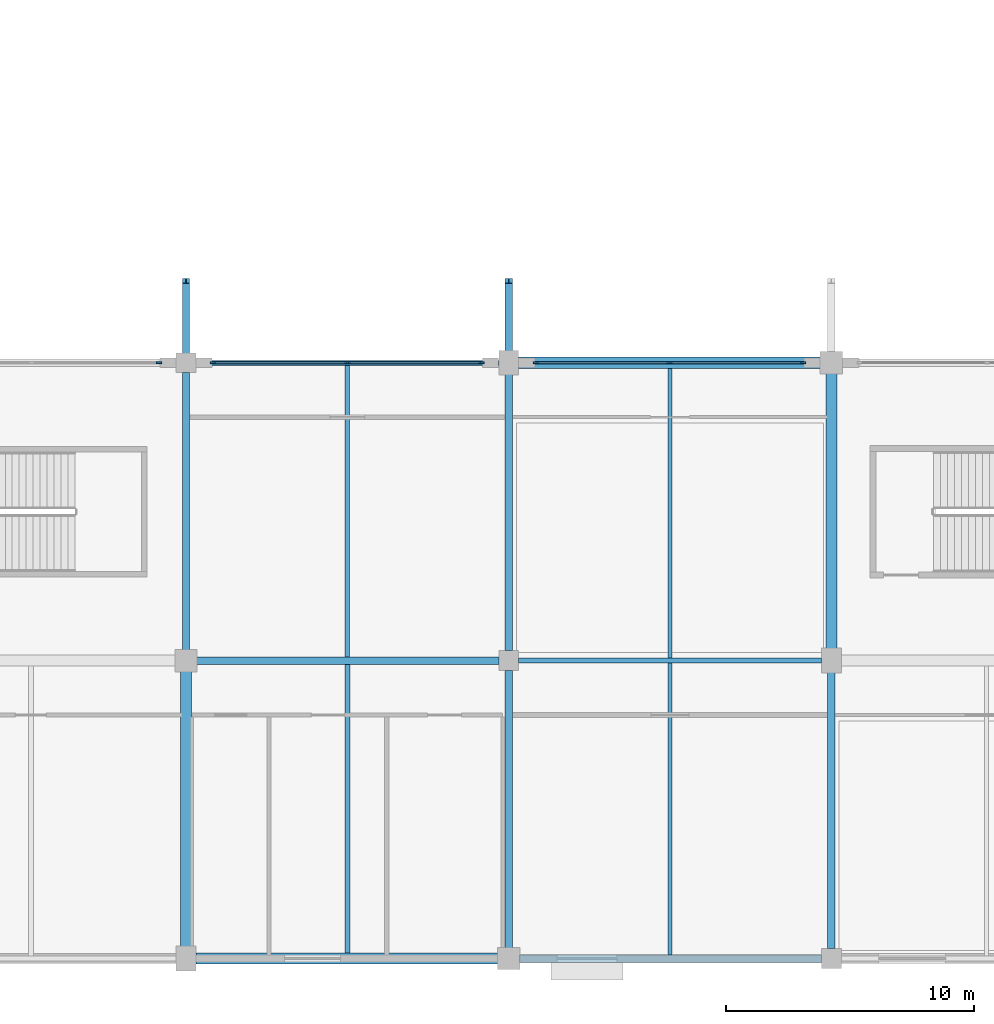
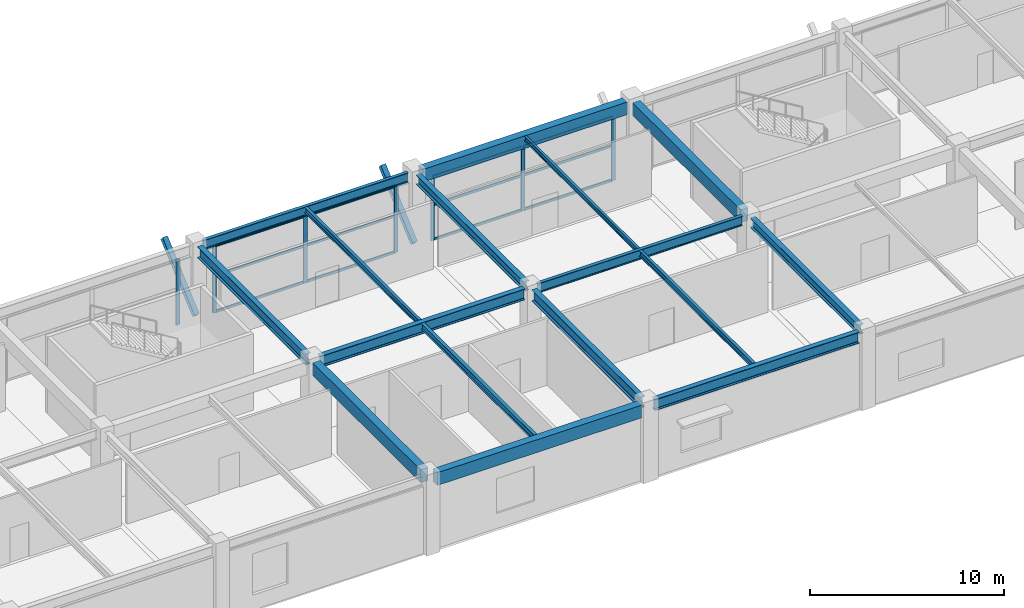
# One storey, part 20 of 116: 21 members, 16 beams, 3 elements without a shape of their own.
"""IFC4 building model written with IfcOpenShell, lengths in metres."""

from ifc_helpers import new_model, si_unit, direction, frame, origin, origin_2d, place, context, subcontext, project, spatial, rectangle, i_section, extrude, material, layer, layer_set, material_profile, profile_set, type_object, element, aggregate, save


model = new_model("IFC4")

# Units and contexts
model_context = context("Model", 3, precision=1e-05, world=origin(), true_north=direction((0.0, 1.0)))
body_context = subcontext(model_context, "Body", "Model", "MODEL_VIEW")
ifc_project = project(units=[si_unit("LENGTHUNIT", "METRE"), si_unit("AREAUNIT", "SQUARE_METRE"), si_unit("VOLUMEUNIT", "CUBIC_METRE"), si_unit("PLANEANGLEUNIT", "RADIAN"), si_unit("MASSUNIT", "GRAM", prefix="KILO")], contexts=[model_context])

# Site, building, storey
site_placement = place(None, origin())
site = spatial("IfcSite", under=ifc_project, at=site_placement, CompositionType="ELEMENT")
building_placement = place(site_placement, origin())
building = spatial("IfcBuilding", under=site, at=building_placement, Name="Kazenohara Klinker Stadium", CompositionType="ELEMENT")
storey_placement = place(building_placement, frame((0.0, 0.0, 10.199951171875)))
storey = spatial("IfcBuildingStorey", under=building, at=storey_placement, Name="L02", CompositionType="ELEMENT", Elevation=10.199951171875)

# Beams
ifc_material_1 = material(Name="Steel S355", Category="steel")
ifc_material_profile_1 = material_profile(ifc_material_1, i_section(OverallWidth=0.199951171875, OverallDepth=0.39990234375, WebThickness=0.008056640625, FlangeThickness=0.012939453125, FilletRadius=0.012939453125, at=origin_2d()), Name="H-400x200x8x13")
ifc_profile_set_1 = profile_set([ifc_material_profile_1], Name="Steel S355")
beam_type_1 = type_object("IfcBeamType", Name="BM-JST03", PredefinedType="JOIST", material=ifc_profile_set_1)
beam_1_placement = place(storey_placement, frame((105.5, 12.22509765625, 4.6201171875), z_axis=(0.0, 1.0, 0.0), x_axis=(-1.0, 0.0, 0.0)))
element("IfcBeam", 1, at=beam_1_placement, inside=storey, type_object=beam_type_1, Name="Secondary floor joist SJ03 L02 9/B", PredefinedType="JOIST", context=body_context, shape_type="SweptSolid", body=[
    extrude(i_section(OverallWidth=0.199951171875, OverallDepth=0.39990234375, WebThickness=0.008056640625, FlangeThickness=0.012939453125, FilletRadius=0.012939453125, at=origin_2d()), origin(), (0.0, 0.0, 1.0), 11.625),
])
ifc_material_profile_2 = material_profile(ifc_material_1, i_section(OverallWidth=0.175048828125, OverallDepth=0.35009765625, WebThickness=0.007080078125, FlangeThickness=0.010986328125, FilletRadius=0.012939453125, at=origin_2d()), Name="H-350x175x7x11")
ifc_profile_set_2 = profile_set([ifc_material_profile_2], Name="Steel S355")
beam_type_2 = type_object("IfcBeamType", Name="BM-JST04", PredefinedType="JOIST", material=ifc_profile_set_2)
for number, where, z_axis, x_axis, name in (
    (2, (105.5, 24.14990234375, 4.64501953125), (0.0, 1.0, 0.0), (-1.0, 0.0, 0.0), "Secondary floor joist SJ04 L02 9/C"),
    (3, (118.5, 12.14990234375, 4.64501953125), (0.0, 1.0, 0.0), (-1.0, 0.0, 0.0), "Secondary floor joist SJ04 L02 10/B"),
):
    element("IfcBeam", number, at=place(storey_placement, frame(where, z_axis=z_axis, x_axis=x_axis)), inside=storey, type_object=beam_type_2, Name=name, PredefinedType="JOIST", context=body_context, shape_type="SweptSolid", body=[
        extrude(i_section(OverallWidth=0.175048828125, OverallDepth=0.35009765625, WebThickness=0.007080078125, FlangeThickness=0.010986328125, FilletRadius=0.012939453125, at=origin_2d()), origin(), (0.0, 0.0, 1.0), 11.75),
    ])
ifc_material_profile_3 = material_profile(ifc_material_1, i_section(OverallWidth=0.14990234375, OverallDepth=0.300048828125, WebThickness=0.006591796875, FlangeThickness=0.009033203125, FilletRadius=0.012939453125, at=origin_2d()), Name="H-300x150x6.5x9")
ifc_profile_set_3 = profile_set([ifc_material_profile_3], Name="Steel S355")
beam_type_3 = type_object("IfcBeamType", Name="BM-JST05", PredefinedType="JOIST", material=ifc_profile_set_3)
beam_2_placement = place(storey_placement, frame((118.5, 24.10009765625, 4.670166015625), z_axis=(0.0, 1.0, 0.0), x_axis=(-1.0, 0.0, 0.0)))
element("IfcBeam", 4, at=beam_2_placement, inside=storey, type_object=beam_type_3, Name="Secondary floor joist SJ05 L02 10/C", PredefinedType="JOIST", context=body_context, shape_type="SweptSolid", body=[
    extrude(i_section(OverallWidth=0.14990234375, OverallDepth=0.300048828125, WebThickness=0.006591796875, FlangeThickness=0.009033203125, FilletRadius=0.012939453125, at=origin_2d()), origin(), (0.0, 0.0, 1.0), 11.6748046875),
])
ifc_material_2 = material(Name="Concrete C40/50", Category="concrete")
ifc_material_profile_4 = material_profile(ifc_material_2, rectangle(XDim=0.449951171875, YDim=0.800048828125, at=origin_2d()), Name="RC-BM-450x800")
ifc_profile_set_4 = profile_set([ifc_material_profile_4], Name="Concrete C40/50")
beam_type_4 = type_object("IfcBeamType", Name="BM-RC03", PredefinedType="BEAM", material=ifc_profile_set_4)
for number, where, z_axis, x_axis, name in (
    (5, (99.39990234375, 12.0, 4.420166015625), (1.0, 0.0, 0.0), (0.0, 1.0, 0.0), "Primary girder BG03 L02 9-10/B"),
    (6, (112.39990234375, 36.0, 4.420166015625), (1.0, 0.0, 0.0), (0.0, 1.0, 0.0), "Primary girder BG03 L02 10-11/D"),
):
    element("IfcBeam", number, at=place(storey_placement, frame(where, z_axis=z_axis, x_axis=x_axis)), inside=storey, type_object=beam_type_4, Name=name, PredefinedType="BEAM", context=body_context, shape_type="SweptSolid", body=[
        extrude(rectangle(XDim=0.449951171875, YDim=0.800048828125, at=origin_2d()), origin(), (0.0, 0.0, 1.0), 12.18017578125),
    ])
for number, where, z_axis, x_axis, name in (
    (7, (99.0, 12.419921875, 4.420166015625), (0.0, 1.0, 0.0), (-1.0, 0.0, 0.0), "Primary girder BG03 L02 9/B-C"),
    (8, (125.0, 24.419921875, 4.420166015625), (0.0, 1.0, 0.0), (-1.0, 0.0, 0.0), "Primary girder BG03 L02 11/C-D"),
):
    element("IfcBeam", number, at=place(storey_placement, frame(where, z_axis=z_axis, x_axis=x_axis)), inside=storey, type_object=beam_type_4, Name=name, PredefinedType="BEAM", context=body_context, shape_type="SweptSolid", body=[
        extrude(rectangle(XDim=0.449951171875, YDim=0.800048828125, at=origin_2d()), origin(), (0.0, 0.0, 1.0), 11.16015625),
    ])
ifc_material_profile_5 = material_profile(ifc_material_1, i_section(OverallWidth=0.300048828125, OverallDepth=0.699951171875, WebThickness=0.012939453125, FlangeThickness=0.02392578125, FilletRadius=0.02197265625, at=origin_2d()), Name="H-700x300x13x24")
ifc_profile_set_5 = profile_set([ifc_material_profile_5], Name="Steel S355")
beam_type_5 = type_object("IfcBeamType", Name="BM-ST03", PredefinedType="BEAM", material=ifc_profile_set_5)
for number, where, z_axis, x_axis, name in (
    (9, (99.419921875, 24.0, 4.469970703125), (1.0, 0.0, 0.0), (0.0, 1.0, 0.0), "Primary girder SB03 L02 9-10/C"),
    (10, (112.419921875, 12.0, 4.469970703125), (1.0, 0.0, 0.0), (0.0, 1.0, 0.0), "Primary girder SB03 L02 10-11/B"),
):
    element("IfcBeam", number, at=place(storey_placement, frame(where, z_axis=z_axis, x_axis=x_axis)), inside=storey, type_object=beam_type_5, Name=name, PredefinedType="BEAM", context=body_context, shape_type="SweptSolid", body=[
        extrude(i_section(OverallWidth=0.300048828125, OverallDepth=0.699951171875, WebThickness=0.012939453125, FlangeThickness=0.02392578125, FilletRadius=0.02197265625, at=origin_2d()), origin(), (0.0, 0.0, 1.0), 12.18017578125),
    ])
for number, where, z_axis, x_axis, name in (
    (11, (99.0, 24.419921875, 4.469970703125), (0.0, 1.0, 0.0), (-1.0, 0.0, 0.0), "Primary girder SB03 L02 9/C-D"),
    (12, (112.0, 12.419921875, 4.469970703125), (0.0, 1.0, 0.0), (-1.0, 0.0, 0.0), "Primary girder SB03 L02 10/B-C"),
):
    element("IfcBeam", number, at=place(storey_placement, frame(where, z_axis=z_axis, x_axis=x_axis)), inside=storey, type_object=beam_type_5, Name=name, PredefinedType="BEAM", context=body_context, shape_type="SweptSolid", body=[
        extrude(i_section(OverallWidth=0.300048828125, OverallDepth=0.699951171875, WebThickness=0.012939453125, FlangeThickness=0.02392578125, FilletRadius=0.02197265625, at=origin_2d()), origin(), (0.0, 0.0, 1.0), 11.18017578125),
    ])
ifc_material_profile_6 = material_profile(ifc_material_1, i_section(OverallWidth=0.199951171875, OverallDepth=0.60009765625, WebThickness=0.010986328125, FlangeThickness=0.01708984375, FilletRadius=0.012939453125, at=origin_2d()), Name="H-600x200x11x17")
ifc_profile_set_6 = profile_set([ifc_material_profile_6], Name="Steel S355")
beam_type_6 = type_object("IfcBeamType", Name="BM-ST04", PredefinedType="BEAM", material=ifc_profile_set_6)
for number, where, z_axis, x_axis, name in (
    (13, (99.39990234375, 36.0, 4.52001953125), (1.0, 0.0, 0.0), (0.0, 1.0, 0.0), "Primary girder SB04 L02 9-10/D"),
    (14, (112.39990234375, 24.0, 4.52001953125), (1.0, 0.0, 0.0), (0.0, 1.0, 0.0), "Primary girder SB04 L02 10-11/C"),
):
    element("IfcBeam", number, at=place(storey_placement, frame(where, z_axis=z_axis, x_axis=x_axis)), inside=storey, type_object=beam_type_6, Name=name, PredefinedType="BEAM", context=body_context, shape_type="SweptSolid", body=[
        extrude(i_section(OverallWidth=0.199951171875, OverallDepth=0.60009765625, WebThickness=0.010986328125, FlangeThickness=0.01708984375, FilletRadius=0.012939453125, at=origin_2d()), origin(), (0.0, 0.0, 1.0), 12.2001953125),
    ])
ifc_material_profile_7 = material_profile(ifc_material_1, i_section(OverallWidth=0.300048828125, OverallDepth=0.587890625, WebThickness=0.011962890625, FlangeThickness=0.02001953125, FilletRadius=0.02197265625, at=origin_2d()), Name="H-588x300x12x20")
ifc_profile_set_7 = profile_set([ifc_material_profile_7], Name="Steel S355")
beam_type_7 = type_object("IfcBeamType", Name="BM-ST05", PredefinedType="BEAM", material=ifc_profile_set_7)
for number, where, z_axis, x_axis, name in (
    (15, (112.0, 24.39990234375, 4.526123046875), (0.0, 1.0, 0.0), (-1.0, 0.0, 0.0), "Primary girder SB05 L02 10/C-D"),
    (16, (125.0, 12.39990234375, 4.526123046875), (0.0, 1.0, 0.0), (-1.0, 0.0, 0.0), "Primary girder SB05 L02 11/B-C"),
):
    element("IfcBeam", number, at=place(storey_placement, frame(where, z_axis=z_axis, x_axis=x_axis)), inside=storey, type_object=beam_type_7, Name=name, PredefinedType="BEAM", context=body_context, shape_type="SweptSolid", body=[
        extrude(i_section(OverallWidth=0.300048828125, OverallDepth=0.587890625, WebThickness=0.011962890625, FlangeThickness=0.02001953125, FilletRadius=0.02197265625, at=origin_2d()), origin(), (0.0, 0.0, 1.0), 11.18017578125),
    ])

# Curtain wall, member
ifc_material_3 = material(Name="Anodised aluminium and triple glazing", Category="aluminium")
ifc_layer_1 = layer(ifc_material_3, 0.18994140625)
ifc_layer_set_1 = layer_set([ifc_layer_1], Name="Anodised aluminium and triple glazing")
curtain_wall_type_1 = type_object("IfcCurtainWallType", Name="CW-SYS-05", PredefinedType="USERDEFINED", material=ifc_layer_set_1)
curtain_wall_1_placement = place(storey_placement, origin())
curtain_wall_1 = element("IfcCurtainWall", 17, at=curtain_wall_1_placement, inside=storey, type_object=curtain_wall_type_1, Name="Unitised facade curtain wall CW05 L02 X7-3", ObjectType="UNITISED CURTAIN WALL", PredefinedType="USERDEFINED")
ifc_material_4 = material(Name="Anodised aluminium 6063-T6", Category="aluminium")
ifc_material_profile_8 = material_profile(ifc_material_4, rectangle(XDim=0.074951171875, YDim=0.219970703125, at=origin_2d()), Name="ALU-MUL-75x220")
ifc_profile_set_8 = profile_set([ifc_material_profile_8], Name="Anodised aluminium 6063-T6")
member_type_1 = type_object("IfcMemberType", Name="CW-MUL-220", PredefinedType="MULLION", material=ifc_profile_set_8)
member_1_placement = place(storey_placement, frame((97.908447265625, 36.0, 0.0), z_axis=(0.0, 0.0, 1.0), x_axis=(0.0, 1.0, 0.0)))
member_1 = element("IfcMember", 18, at=member_1_placement, type_object=member_type_1, Name="CW05 mullion 3", PredefinedType="MULLION", context=body_context, shape_type="SweptSolid", body=[
    extrude(rectangle(XDim=0.074951171875, YDim=0.219970703125, at=origin_2d()), origin(), (0.0, 0.0, 1.0), 4.1201171875),
])
aggregate(curtain_wall_1, [member_1])

# Curtain wall, members
ifc_layer_2 = layer(ifc_material_3, 0.179931640625)
ifc_layer_set_2 = layer_set([ifc_layer_2], Name="Anodised aluminium and triple glazing")
curtain_wall_type_2 = type_object("IfcCurtainWallType", Name="CW-SYS-02", PredefinedType="USERDEFINED", material=ifc_layer_set_2)
curtain_wall_2_placement = place(storey_placement, origin())
curtain_wall_2 = element("IfcCurtainWall", 19, at=curtain_wall_2_placement, inside=storey, type_object=curtain_wall_type_2, Name="Unitised facade curtain wall CW02 L02 X8-3", ObjectType="UNITISED CURTAIN WALL", PredefinedType="USERDEFINED")
member_2_placement = place(storey_placement, frame((100.091552734375, 36.0, 0.0), z_axis=(0.0, 0.0, 1.0), x_axis=(0.0, 1.0, 0.0)))
member_2 = element("IfcMember", 20, at=member_2_placement, type_object=member_type_1, Name="CW02 mullion 1", PredefinedType="MULLION", context=body_context, shape_type="SweptSolid", body=[
    extrude(rectangle(XDim=0.074951171875, YDim=0.219970703125, at=origin_2d()), origin(), (0.0, 0.0, 1.0), 4.219970703125),
])
member_3_placement = place(storey_placement, frame((105.5, 36.0, 0.0), z_axis=(0.0, 0.0, 1.0), x_axis=(0.0, 1.0, 0.0)))
member_3 = element("IfcMember", 21, at=member_3_placement, type_object=member_type_1, Name="CW02 mullion 2", PredefinedType="MULLION", context=body_context, shape_type="SweptSolid", body=[
    extrude(rectangle(XDim=0.074951171875, YDim=0.219970703125, at=origin_2d()), origin(), (0.0, 0.0, 1.0), 4.219970703125),
])
member_4_placement = place(storey_placement, frame((110.908447265625, 36.0, 0.0), z_axis=(0.0, 0.0, 1.0), x_axis=(0.0, 1.0, 0.0)))
member_4 = element("IfcMember", 22, at=member_4_placement, type_object=member_type_1, Name="CW02 mullion 3", PredefinedType="MULLION", context=body_context, shape_type="SweptSolid", body=[
    extrude(rectangle(XDim=0.074951171875, YDim=0.219970703125, at=origin_2d()), origin(), (0.0, 0.0, 1.0), 4.219970703125),
])

ifc_layer_3 = layer(ifc_material_3, 0.169921875)
ifc_layer_set_3 = layer_set([ifc_layer_3], Name="Anodised aluminium and triple glazing")
curtain_wall_type_3 = type_object("IfcCurtainWallType", Name="CW-SYS-04", PredefinedType="USERDEFINED", material=ifc_layer_set_3)
curtain_wall_3_placement = place(storey_placement, origin())
curtain_wall_3 = element("IfcCurtainWall", 23, at=curtain_wall_3_placement, inside=storey, type_object=curtain_wall_type_3, Name="Unitised facade curtain wall CW04 L02 X9-3", ObjectType="UNITISED CURTAIN WALL", PredefinedType="USERDEFINED")
member_5_placement = place(storey_placement, frame((113.091552734375, 36.0, 0.0), z_axis=(0.0, 0.0, 1.0), x_axis=(0.0, 1.0, 0.0)))
member_5 = element("IfcMember", 24, at=member_5_placement, type_object=member_type_1, Name="CW04 mullion 1", PredefinedType="MULLION", context=body_context, shape_type="SweptSolid", body=[
    extrude(rectangle(XDim=0.074951171875, YDim=0.219970703125, at=origin_2d()), origin(), (0.0, 0.0, 1.0), 4.02001953125),
])
member_6_placement = place(storey_placement, frame((118.47509765625, 36.0, 0.0), z_axis=(0.0, 0.0, 1.0), x_axis=(0.0, 1.0, 0.0)))
member_6 = element("IfcMember", 25, at=member_6_placement, type_object=member_type_1, Name="CW04 mullion 2", PredefinedType="MULLION", context=body_context, shape_type="SweptSolid", body=[
    extrude(rectangle(XDim=0.074951171875, YDim=0.219970703125, at=origin_2d()), origin(), (0.0, 0.0, 1.0), 4.02001953125),
])
member_7_placement = place(storey_placement, frame((123.8583984375, 36.0, 0.0), z_axis=(0.0, 0.0, 1.0), x_axis=(0.0, 1.0, 0.0)))
member_7 = element("IfcMember", 26, at=member_7_placement, type_object=member_type_1, Name="CW04 mullion 3", PredefinedType="MULLION", context=body_context, shape_type="SweptSolid", body=[
    extrude(rectangle(XDim=0.074951171875, YDim=0.219970703125, at=origin_2d()), origin(), (0.0, 0.0, 1.0), 4.02001953125),
])

# Member
ifc_material_profile_9 = material_profile(ifc_material_4, rectangle(XDim=0.074951171875, YDim=0.159912109375, at=origin_2d()), Name="ALU-TRN-75x160")
ifc_profile_set_9 = profile_set([ifc_material_profile_9], Name="Anodised aluminium 6063-T6")
member_type_2 = type_object("IfcMemberType", Name="CW-TRN-160", PredefinedType="USERDEFINED", material=ifc_profile_set_9)
member_8_placement = place(storey_placement, frame((100.12890625, 36.0, 0.03759765625), z_axis=(1.0, 0.0, 0.0), x_axis=(0.0, 1.0, 0.0)))
member_8 = element("IfcMember", 27, at=member_8_placement, type_object=member_type_2, Name="CW02 transom 1.1", ObjectType="TRANSOM", PredefinedType="USERDEFINED", context=body_context, shape_type="SweptSolid", body=[
    extrude(rectangle(XDim=0.074951171875, YDim=0.159912109375, at=origin_2d()), origin(), (0.0, 0.0, 1.0), 5.33349609375),
])

member_9_placement = place(storey_placement, frame((100.12890625, 36.0, 2.321044921875), z_axis=(1.0, 0.0, 0.0), x_axis=(0.0, 1.0, 0.0)))
member_9 = element("IfcMember", 28, at=member_9_placement, type_object=member_type_2, Name="CW02 transom 1.2", ObjectType="TRANSOM", PredefinedType="USERDEFINED", context=body_context, shape_type="SweptSolid", body=[
    extrude(rectangle(XDim=0.074951171875, YDim=0.159912109375, at=origin_2d()), origin(), (0.0, 0.0, 1.0), 5.33349609375),
])

member_10_placement = place(storey_placement, frame((100.12890625, 36.0, 4.1826171875), z_axis=(1.0, 0.0, 0.0), x_axis=(0.0, 1.0, 0.0)))
member_10 = element("IfcMember", 29, at=member_10_placement, type_object=member_type_2, Name="CW02 transom 1.3", ObjectType="TRANSOM", PredefinedType="USERDEFINED", context=body_context, shape_type="SweptSolid", body=[
    extrude(rectangle(XDim=0.074951171875, YDim=0.159912109375, at=origin_2d()), origin(), (0.0, 0.0, 1.0), 5.33349609375),
])

member_11_placement = place(storey_placement, frame((105.53759765625, 36.0, 0.03759765625), z_axis=(1.0, 0.0, 0.0), x_axis=(0.0, 1.0, 0.0)))
member_11 = element("IfcMember", 30, at=member_11_placement, type_object=member_type_2, Name="CW02 transom 2.1", ObjectType="TRANSOM", PredefinedType="USERDEFINED", context=body_context, shape_type="SweptSolid", body=[
    extrude(rectangle(XDim=0.074951171875, YDim=0.159912109375, at=origin_2d()), origin(), (0.0, 0.0, 1.0), 5.33349609375),
])

member_12_placement = place(storey_placement, frame((105.53759765625, 36.0, 2.321044921875), z_axis=(1.0, 0.0, 0.0), x_axis=(0.0, 1.0, 0.0)))
member_12 = element("IfcMember", 31, at=member_12_placement, type_object=member_type_2, Name="CW02 transom 2.2", ObjectType="TRANSOM", PredefinedType="USERDEFINED", context=body_context, shape_type="SweptSolid", body=[
    extrude(rectangle(XDim=0.074951171875, YDim=0.159912109375, at=origin_2d()), origin(), (0.0, 0.0, 1.0), 5.33349609375),
])

member_13_placement = place(storey_placement, frame((105.53759765625, 36.0, 4.1826171875), z_axis=(1.0, 0.0, 0.0), x_axis=(0.0, 1.0, 0.0)))
member_13 = element("IfcMember", 32, at=member_13_placement, type_object=member_type_2, Name="CW02 transom 2.3", ObjectType="TRANSOM", PredefinedType="USERDEFINED", context=body_context, shape_type="SweptSolid", body=[
    extrude(rectangle(XDim=0.074951171875, YDim=0.159912109375, at=origin_2d()), origin(), (0.0, 0.0, 1.0), 5.33349609375),
])

aggregate(curtain_wall_2, [member_2, member_3, member_4, member_8, member_9, member_10, member_11, member_12, member_13])

member_14_placement = place(storey_placement, frame((113.12890625, 36.0, 0.03759765625), z_axis=(1.0, 0.0, 0.0), x_axis=(0.0, 1.0, 0.0)))
member_14 = element("IfcMember", 33, at=member_14_placement, type_object=member_type_2, Name="CW04 transom 1.1", ObjectType="TRANSOM", PredefinedType="USERDEFINED", context=body_context, shape_type="SweptSolid", body=[
    extrude(rectangle(XDim=0.074951171875, YDim=0.159912109375, at=origin_2d()), origin(), (0.0, 0.0, 1.0), 5.30859375),
])

member_15_placement = place(storey_placement, frame((113.12890625, 36.0, 2.2109375), z_axis=(1.0, 0.0, 0.0), x_axis=(0.0, 1.0, 0.0)))
member_15 = element("IfcMember", 34, at=member_15_placement, type_object=member_type_2, Name="CW04 transom 1.2", ObjectType="TRANSOM", PredefinedType="USERDEFINED", context=body_context, shape_type="SweptSolid", body=[
    extrude(rectangle(XDim=0.074951171875, YDim=0.159912109375, at=origin_2d()), origin(), (0.0, 0.0, 1.0), 5.30859375),
])

member_16_placement = place(storey_placement, frame((113.12890625, 36.0, 3.982666015625), z_axis=(1.0, 0.0, 0.0), x_axis=(0.0, 1.0, 0.0)))
member_16 = element("IfcMember", 35, at=member_16_placement, type_object=member_type_2, Name="CW04 transom 1.3", ObjectType="TRANSOM", PredefinedType="USERDEFINED", context=body_context, shape_type="SweptSolid", body=[
    extrude(rectangle(XDim=0.074951171875, YDim=0.159912109375, at=origin_2d()), origin(), (0.0, 0.0, 1.0), 5.30859375),
])

member_17_placement = place(storey_placement, frame((118.512451171875, 36.0, 0.03759765625), z_axis=(1.0, 0.0, 0.0), x_axis=(0.0, 1.0, 0.0)))
member_17 = element("IfcMember", 36, at=member_17_placement, type_object=member_type_2, Name="CW04 transom 2.1", ObjectType="TRANSOM", PredefinedType="USERDEFINED", context=body_context, shape_type="SweptSolid", body=[
    extrude(rectangle(XDim=0.074951171875, YDim=0.159912109375, at=origin_2d()), origin(), (0.0, 0.0, 1.0), 5.30859375),
])

member_18_placement = place(storey_placement, frame((118.512451171875, 36.0, 2.2109375), z_axis=(1.0, 0.0, 0.0), x_axis=(0.0, 1.0, 0.0)))
member_18 = element("IfcMember", 37, at=member_18_placement, type_object=member_type_2, Name="CW04 transom 2.2", ObjectType="TRANSOM", PredefinedType="USERDEFINED", context=body_context, shape_type="SweptSolid", body=[
    extrude(rectangle(XDim=0.074951171875, YDim=0.159912109375, at=origin_2d()), origin(), (0.0, 0.0, 1.0), 5.30859375),
])

member_19_placement = place(storey_placement, frame((118.512451171875, 36.0, 3.982666015625), z_axis=(1.0, 0.0, 0.0), x_axis=(0.0, 1.0, 0.0)))
member_19 = element("IfcMember", 38, at=member_19_placement, type_object=member_type_2, Name="CW04 transom 2.3", ObjectType="TRANSOM", PredefinedType="USERDEFINED", context=body_context, shape_type="SweptSolid", body=[
    extrude(rectangle(XDim=0.074951171875, YDim=0.159912109375, at=origin_2d()), origin(), (0.0, 0.0, 1.0), 5.30859375),
])

aggregate(curtain_wall_3, [member_5, member_6, member_7, member_14, member_15, member_16, member_17, member_18, member_19])

# Members
ifc_material_profile_10 = material_profile(ifc_material_1, i_section(OverallWidth=0.300048828125, OverallDepth=0.300048828125, WebThickness=0.010009765625, FlangeThickness=0.014892578125, FilletRadius=0.012939453125, at=origin_2d()), Name="H-300x300x10x15")
ifc_profile_set_10 = profile_set([ifc_material_profile_10], Name="Steel S355")
member_type_3 = type_object("IfcMemberType", Name="MEM-BRC01", PredefinedType="BRACE", material=ifc_profile_set_10)
for number, where, z_axis, x_axis, name in (
    (39, (99.0, 36.0, 0.199951171875), (0.0, 0.750987889423, 0.660315977347), (-1.0, 0.0, 0.0), "Upper bowl raking bracket strut BR01 South 9"),
    (40, (112.0, 36.0, 0.199951171875), (0.0, 0.750987889423, 0.660315977347), (-1.0, 0.0, 0.0), "Upper bowl raking bracket strut BR01 South 10"),
):
    element("IfcMember", number, at=place(storey_placement, frame(where, z_axis=z_axis, x_axis=x_axis)), inside=storey, type_object=member_type_3, Name=name, PredefinedType="BRACE", context=body_context, shape_type="SweptSolid", body=[
        extrude(i_section(OverallWidth=0.300048828125, OverallDepth=0.300048828125, WebThickness=0.010009765625, FlangeThickness=0.014892578125, FilletRadius=0.012939453125, at=origin_2d()), origin(), (0.0, 0.0, 1.0), 4.394287109375),
    ])

save(model, "model.ifc")
